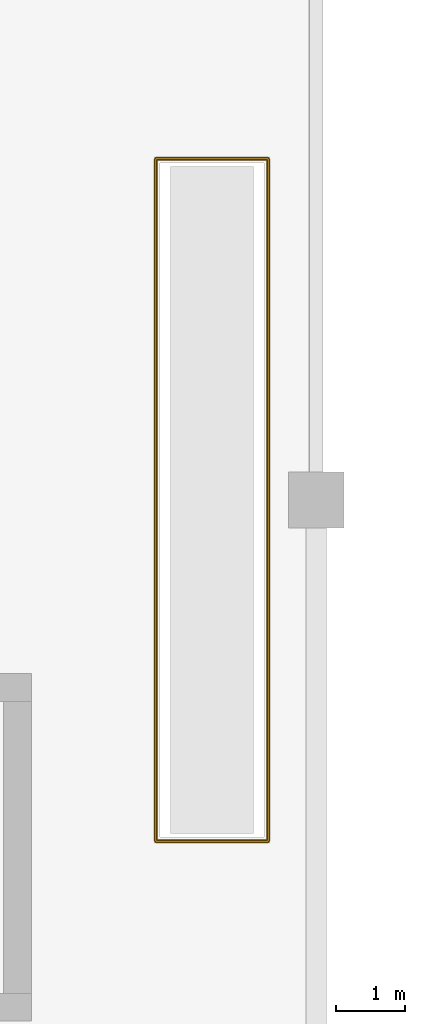
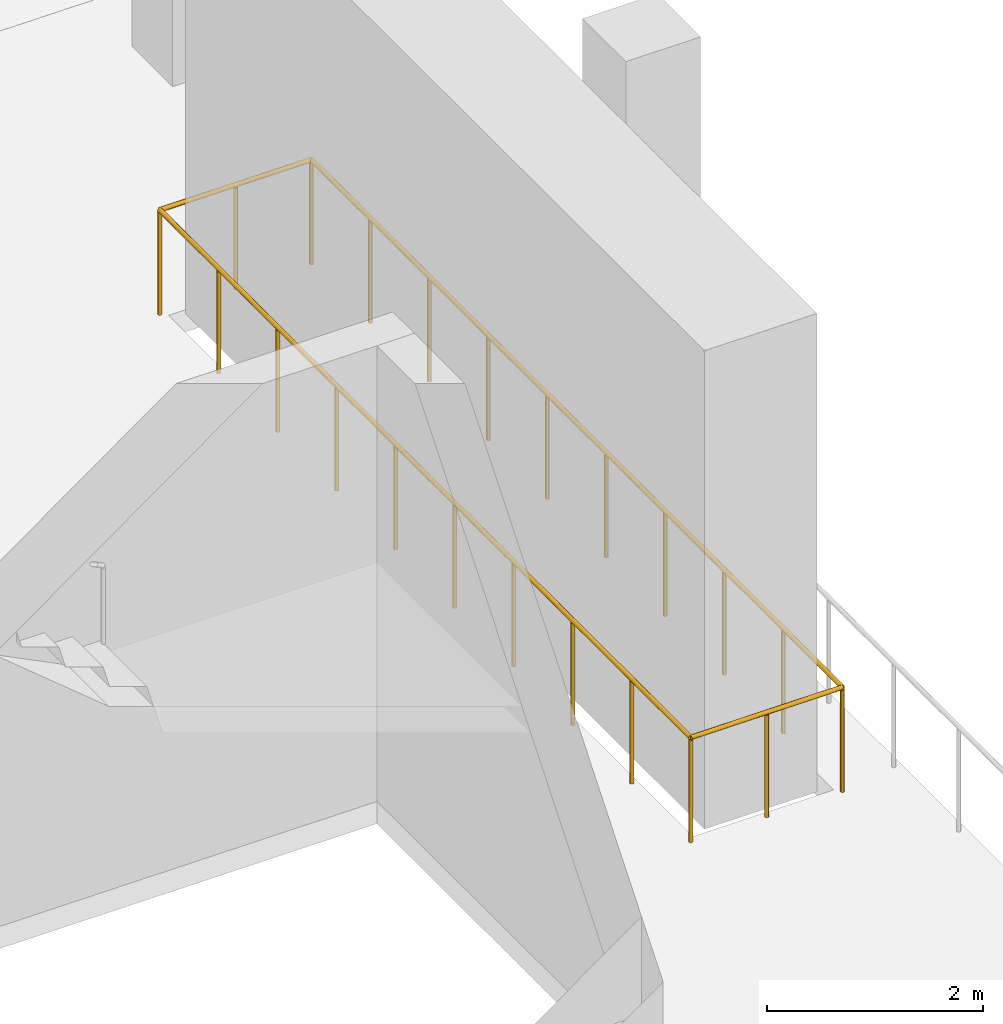
# One storey, part 98 of 110: 1 railing.
"""IFC4 building model written with IfcOpenShell, lengths in metres."""

from ifc_helpers import new_model, si_unit, direction, frame, origin, origin_2d, place, context, subcontext, project, spatial, circle, extrude, material, type_object, element, save


model = new_model("IFC4")

# Units and contexts
model_context = context("Model", 3, precision=1e-05, world=origin(), true_north=direction((0.0, 1.0)))
body_context = subcontext(model_context, "Body", "Model", "MODEL_VIEW")
ifc_project = project(units=[si_unit("LENGTHUNIT", "METRE"), si_unit("AREAUNIT", "SQUARE_METRE"), si_unit("VOLUMEUNIT", "CUBIC_METRE"), si_unit("PLANEANGLEUNIT", "RADIAN"), si_unit("MASSUNIT", "GRAM", prefix="KILO"), si_unit("THERMODYNAMICTEMPERATUREUNIT", "KELVIN")], contexts=[model_context])

# Site, building, storey
site_placement = place(None, origin())
site = spatial("IfcSite", under=ifc_project, at=site_placement, CompositionType="ELEMENT")
building_placement = place(site_placement, origin())
building = spatial("IfcBuilding", under=site, at=building_placement, Name="Lustrewick Department Store", CompositionType="ELEMENT")
storey_placement = place(building_placement, frame((0.0, 0.0, 6.0)))
storey = spatial("IfcBuildingStorey", under=building, at=storey_placement, Name="L02", CompositionType="ELEMENT", Elevation=6.0)

# Railing
ifc_material = material(Name="Laminated safety glass and bronze atrium balustrade", Category="glass")
railing_type = type_object("IfcRailingType", Name="RL-BAL", PredefinedType="BALUSTRADE", material=ifc_material)
railing_placement = place(storey_placement, frame((73.2900390625, 62.2900390625, 0.0)))
element("IfcRailing", 1, at=railing_placement, inside=storey, type_object=railing_type, Name="L02 V2 Escalator Well Balustrade 0017", PredefinedType="BALUSTRADE", context=body_context, shape_type="SweptSolid", body=[
    extrude(circle(Radius=0.02392578125, at=origin_2d()), frame((0.0, 0.0, 1.17578125), z_axis=(0.0, 1.0, 0.0), x_axis=(-1.0, 0.0, 0.0)), (0.0, 0.0, 1.0), 9.820068359375),
    extrude(circle(Radius=0.02392578125, at=origin_2d()), frame((0.0, 9.820068359375, 1.17578125), z_axis=(1.0, 0.0, 0.0), x_axis=(0.0, 1.0, 0.0)), (0.0, 0.0, 1.0), 1.619873046875),
    extrude(circle(Radius=0.02392578125, at=origin_2d()), frame((1.619873046875, 9.820068359375, 1.17578125), z_axis=(0.0, -1.0, 0.0), x_axis=(1.0, 0.0, 0.0)), (0.0, 0.0, 1.0), 9.820068359375),
    extrude(circle(Radius=0.02392578125, at=origin_2d()), frame((1.619873046875, 0.0, 1.17578125), z_axis=(-1.0, 0.0, 0.0), x_axis=(0.0, -1.0, 0.0)), (0.0, 0.0, 1.0), 1.619873046875),
    extrude(circle(Radius=0.02099609375, at=origin_2d()), origin(), (0.0, 0.0, 1.0), 1.15185546875),
    extrude(circle(Radius=0.02099609375, at=origin_2d()), frame((0.0, 1.091064453125, 0.0)), (0.0, 0.0, 1.0), 1.15185546875),
    extrude(circle(Radius=0.02099609375, at=origin_2d()), frame((0.0, 2.18212890625, 0.0)), (0.0, 0.0, 1.0), 1.15185546875),
    extrude(circle(Radius=0.02099609375, at=origin_2d()), frame((0.0, 3.2734375, 0.0)), (0.0, 0.0, 1.0), 1.15185546875),
    extrude(circle(Radius=0.02099609375, at=origin_2d()), frame((0.0, 4.364501953125, 0.0)), (0.0, 0.0, 1.0), 1.15185546875),
    extrude(circle(Radius=0.02099609375, at=origin_2d()), frame((0.0, 5.45556640625, 0.0)), (0.0, 0.0, 1.0), 1.15185546875),
    extrude(circle(Radius=0.02099609375, at=origin_2d()), frame((0.0, 6.546630859375, 0.0)), (0.0, 0.0, 1.0), 1.15185546875),
    extrude(circle(Radius=0.02099609375, at=origin_2d()), frame((0.0, 7.637939453125, 0.0)), (0.0, 0.0, 1.0), 1.15185546875),
    extrude(circle(Radius=0.02099609375, at=origin_2d()), frame((0.0, 8.72900390625, 0.0)), (0.0, 0.0, 1.0), 1.15185546875),
    extrude(circle(Radius=0.02099609375, at=origin_2d()), frame((0.0, 9.820068359375, 0.0)), (0.0, 0.0, 1.0), 1.15185546875),
    extrude(circle(Radius=0.02099609375, at=origin_2d()), frame((0.81005859375, 9.820068359375, 0.0)), (0.0, 0.0, 1.0), 1.15185546875),
    extrude(circle(Radius=0.02099609375, at=origin_2d()), frame((1.619873046875, 9.820068359375, 0.0)), (0.0, 0.0, 1.0), 1.15185546875),
    extrude(circle(Radius=0.02099609375, at=origin_2d()), frame((1.619873046875, 8.72900390625, 0.0)), (0.0, 0.0, 1.0), 1.15185546875),
    extrude(circle(Radius=0.02099609375, at=origin_2d()), frame((1.619873046875, 7.637939453125, 0.0)), (0.0, 0.0, 1.0), 1.15185546875),
    extrude(circle(Radius=0.02099609375, at=origin_2d()), frame((1.619873046875, 6.546630859375, 0.0)), (0.0, 0.0, 1.0), 1.15185546875),
    extrude(circle(Radius=0.02099609375, at=origin_2d()), frame((1.619873046875, 5.45556640625, 0.0)), (0.0, 0.0, 1.0), 1.15185546875),
    extrude(circle(Radius=0.02099609375, at=origin_2d()), frame((1.619873046875, 4.364501953125, 0.0)), (0.0, 0.0, 1.0), 1.15185546875),
    extrude(circle(Radius=0.02099609375, at=origin_2d()), frame((1.619873046875, 3.2734375, 0.0)), (0.0, 0.0, 1.0), 1.15185546875),
    extrude(circle(Radius=0.02099609375, at=origin_2d()), frame((1.619873046875, 2.18212890625, 0.0)), (0.0, 0.0, 1.0), 1.15185546875),
    extrude(circle(Radius=0.02099609375, at=origin_2d()), frame((1.619873046875, 1.091064453125, 0.0)), (0.0, 0.0, 1.0), 1.15185546875),
    extrude(circle(Radius=0.02099609375, at=origin_2d()), frame((1.619873046875, 0.0, 0.0)), (0.0, 0.0, 1.0), 1.15185546875),
    extrude(circle(Radius=0.02099609375, at=origin_2d()), frame((0.81005859375, 0.0, 0.0)), (0.0, 0.0, 1.0), 1.15185546875),
])

save(model, "model.ifc")
